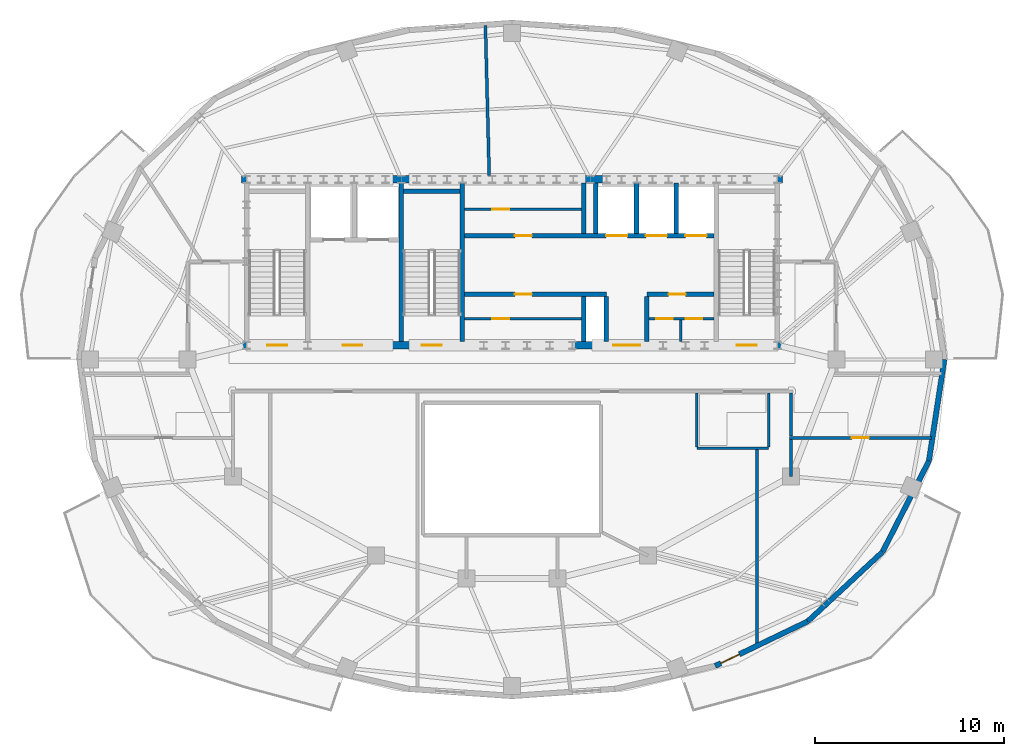
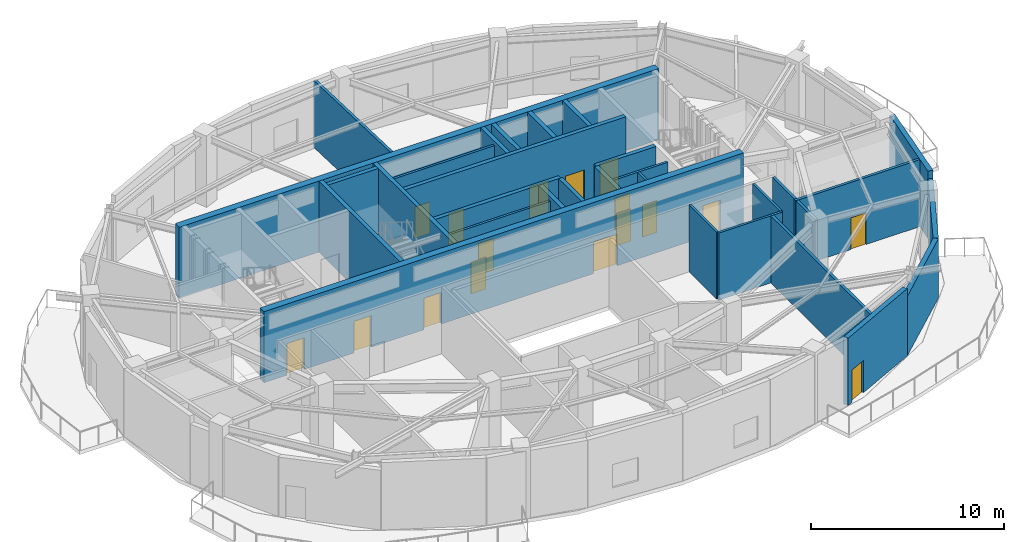
# One storey, part 4 of 9: 31 walls, 17 doors, 17 openings.
"""IFC4 building model written with IfcOpenShell, lengths in metres."""

import ifcopenshell
import ifcopenshell.guid

model = None  # the IFC model being written
_history = None  # IfcOwnerHistory: only IFC2X3 demands one
_inside = {}  # id of a spatial element -> (the spatial element, [elements in it])
_under = {}  # id of a project, library or spatial element -> (it, [spatial elements below it])
_declared = {}  # id of a project -> (the project, [libraries it declares])
_typed = {}  # id of a type object -> (the type object, [elements of that type])
_made_of = {}  # id of a material, layer set ... -> (it, [elements and type objects made of it])


def new_model(schema):
    """Start an empty IFC model of exactly this schema.

    Asked for "IFC4X3", IfcOpenShell would pick the latest addendum, in which some entities
    have other attributes; the version numbers below select the first issue.
    IFC2X3 requires an IfcOwnerHistory on every rooted entity: one is made here for all.
    """
    global model, _history
    if schema == "IFC4X3":
        model = ifcopenshell.file(schema_version=(4, 3, 0, 0))
    else:
        model = ifcopenshell.file(schema=schema)
    _inside.clear()
    _under.clear()
    _declared.clear()
    _typed.clear()
    _made_of.clear()
    _history = None
    if model.schema == "IFC2X3":
        org = make("IfcOrganization", Name="unknown")
        user = make(
            "IfcPersonAndOrganization",
            ThePerson=make("IfcPerson", FamilyName="unknown"),
            TheOrganization=org,
        )
        app = make(
            "IfcApplication",
            ApplicationDeveloper=org,
            Version="unknown",
            ApplicationFullName="unknown",
            ApplicationIdentifier="unknown",
        )
        _history = make(
            "IfcOwnerHistory",
            OwningUser=user,
            OwningApplication=app,
            ChangeAction="ADDED",
            CreationDate=0,
        )
    return model


def make(cls, **values):
    """One entity of the class cls with the attributes given. An attribute that is None is left unset."""
    return model.create_entity(
        cls, **{name: value for name, value in values.items() if value is not None}
    )


def rooted(cls, **values):
    """An entity with a GlobalId (a new one), such as an element, a storey or a relation."""
    return make(cls, GlobalId=ifcopenshell.guid.new(), OwnerHistory=_history, **values)


def si_unit(unit_type, name, prefix=None):
    """IfcSIUnit, for example si_unit("LENGTHUNIT", "METRE", prefix="MILLI")."""
    return make("IfcSIUnit", UnitType=unit_type, Prefix=prefix, Name=name)


def assignment(units):
    """IfcUnitAssignment: the units of a project."""
    return None if units is None else make("IfcUnitAssignment", Units=units)


def point(xyz):
    """IfcCartesianPoint."""
    return None if xyz is None else make("IfcCartesianPoint", Coordinates=xyz)


def direction(xyz):
    """IfcDirection."""
    return None if xyz is None else make("IfcDirection", DirectionRatios=xyz)


def frame(location, z_axis=None, x_axis=None):
    """IfcAxis2Placement3D, a coordinate frame: its origin and axes. An axis left out is left unset."""
    return make(
        "IfcAxis2Placement3D",
        Location=point(location),
        Axis=direction(z_axis),
        RefDirection=direction(x_axis),
    )


def frame_2d(location, x_axis=None):
    """IfcAxis2Placement2D, a coordinate frame in the plane: its origin and x axis."""
    return make(
        "IfcAxis2Placement2D", Location=point(location), RefDirection=direction(x_axis)
    )


def origin():
    """The frame at (0, 0, 0) with its axes left unset."""
    return frame((0.0, 0.0, 0.0))


def place(relative_to, where):
    """IfcLocalPlacement: puts the frame where relative to a parent placement (None: the world)."""
    return make(
        "IfcLocalPlacement", PlacementRelTo=relative_to, RelativePlacement=where
    )


def context(
    kind, dimensions, precision=None, world=None, true_north=None, identifier=None
):
    """IfcGeometricRepresentationContext, for example the 3D "Model" context."""
    return make(
        "IfcGeometricRepresentationContext",
        ContextIdentifier=identifier,
        ContextType=kind,
        CoordinateSpaceDimension=dimensions,
        Precision=precision,
        WorldCoordinateSystem=world,
        TrueNorth=true_north,
    )


def subcontext(parent, identifier, kind, view, scale=None):
    """IfcGeometricRepresentationSubContext, for example "Body" below "Model"."""
    return make(
        "IfcGeometricRepresentationSubContext",
        ContextIdentifier=identifier,
        ContextType=kind,
        ParentContext=parent,
        TargetScale=scale,
        TargetView=view,
    )


def project(units=None, contexts=None):
    """IfcProject with its units and contexts."""
    return rooted(
        "IfcProject",
        Name="project",
        RepresentationContexts=contexts,
        UnitsInContext=assignment(units),
    )


def spatial(cls, under=None, at=None, **own):
    """A site, building, storey or space (cls), placed at a placement, below another one or the project."""
    s = rooted(cls, ObjectPlacement=at, **own)
    if under is not None:
        _under.setdefault(under.id(), (under, []))[1].append(s)
    return s


def profile(cls, at=None, kind="AREA", **sizes):
    """A parametric profile (cls). Its sizes go by their IFC names, for example OverallWidth=200.0."""
    return make(cls, ProfileType=kind, Position=at, **sizes)


def rectangle(**sizes):
    """IfcRectangleProfileDef."""
    return profile("IfcRectangleProfileDef", **sizes)


def extrude(swept, where, along, depth):
    """IfcExtrudedAreaSolid: the profile swept, set in the frame where, extruded along a direction by depth."""
    return make(
        "IfcExtrudedAreaSolid",
        SweptArea=swept,
        Position=where,
        ExtrudedDirection=direction(along),
        Depth=depth,
    )


def shape(context_of_items, identifier, shape_type, items):
    """IfcShapeRepresentation: the items that make up one representation, for example the "Body"."""
    return make(
        "IfcShapeRepresentation",
        ContextOfItems=context_of_items,
        RepresentationIdentifier=identifier,
        RepresentationType=shape_type,
        Items=items,
    )


def material(Name=None, Category=None):
    """IfcMaterial."""
    return make("IfcMaterial", Name=Name, Category=Category)


def layer(
    of_material, thickness, ventilated=None, Name=None, Category=None, Priority=None
):
    """IfcMaterialLayer: one layer of a wall or slab, of a material (None: an air gap)."""
    return make(
        "IfcMaterialLayer",
        Material=of_material,
        LayerThickness=thickness,
        IsVentilated=ventilated,
        Name=Name,
        Category=Category,
        Priority=Priority,
    )


def layer_set(layers, Name=None):
    """IfcMaterialLayerSet."""
    return make("IfcMaterialLayerSet", MaterialLayers=layers, LayerSetName=Name)


def made_of(thing, what):
    """Note that an element or type object is made of a material, layer set ...; save() writes the relation."""
    if what is not None:
        _made_of.setdefault(what.id(), (what, []))[1].append(thing)
    return thing


def type_object(cls, material=None, **own):
    """A type object (cls), such as IfcWallType, which elements share."""
    return made_of(rooted(cls, **own), material)


def element(
    cls,
    number,
    at=None,
    inside=None,
    cuts=None,
    type_object=None,
    material=None,
    context=None,
    identifier="Body",
    shape_type=None,
    held_by="IfcProductDefinitionShape",
    body=None,
    shapes=None,
    **own,
):
    """One element of the class cls, such as IfcWall. Its Tag is "e" and its number.

    at: its placement. inside: the storey or other place that contains it. cuts: it is an
    opening in that element (IfcRelVoidsElement). A single representation is given by context,
    identifier, shape_type and body (its items); several are given by shapes. held_by: the class
    of the entity that holds the representations. save() writes the other relations.
    """
    e = rooted(cls, Tag="e%d" % number, ObjectPlacement=at, **own)
    if body is not None:
        shapes = [shape(context, identifier, shape_type, body)]
    if shapes is not None:
        e.Representation = make(held_by, Representations=shapes)
    if inside is not None:
        _inside.setdefault(inside.id(), (inside, []))[1].append(e)
    if cuts is not None:
        rooted(
            "IfcRelVoidsElement", RelatingBuildingElement=cuts, RelatedOpeningElement=e
        )
    if type_object is not None:
        _typed.setdefault(type_object.id(), (type_object, []))[1].append(e)
    return made_of(e, material)


def fill(opening, filler):
    """IfcRelFillsElement: the door or window that sits in an opening."""
    return rooted(
        "IfcRelFillsElement",
        RelatingOpeningElement=opening,
        RelatedBuildingElement=filler,
    )


def aggregate(whole, parts):
    """IfcRelAggregates: a whole, such as a stair, and the parts it consists of."""
    return rooted("IfcRelAggregates", RelatingObject=whole, RelatedObjects=parts)


def save(model, path):
    """Write the relations noted so far, then the file.

    IfcRelAggregates (storeys below a building ...), IfcRelContainedInSpatialStructure (elements
    in a storey), IfcRelDefinesByType, IfcRelAssociatesMaterial and IfcRelDeclares: one each for
    every whole, place, type object, material and project.
    """
    for whole, parts in _under.values():
        aggregate(whole, parts)
    for where, things in _inside.values():
        rooted(
            "IfcRelContainedInSpatialStructure",
            RelatedElements=things,
            RelatingStructure=where,
        )
    for kind, things in _typed.values():
        rooted("IfcRelDefinesByType", RelatedObjects=things, RelatingType=kind)
    for what, things in _made_of.values():
        rooted("IfcRelAssociatesMaterial", RelatedObjects=things, RelatingMaterial=what)
    for by, libraries in _declared.values():
        rooted("IfcRelDeclares", RelatingContext=by, RelatedDefinitions=libraries)
    model.write(path)


model = new_model("IFC4")

# Units and contexts
model_context = context("Model", 3, precision=1e-05, world=origin(), true_north=direction((0.0, 1.0)))
body_context = subcontext(model_context, "Body", "Model", "MODEL_VIEW")
ifc_project = project(units=[si_unit("LENGTHUNIT", "METRE"), si_unit("AREAUNIT", "SQUARE_METRE"), si_unit("VOLUMEUNIT", "CUBIC_METRE"), si_unit("PLANEANGLEUNIT", "RADIAN"), si_unit("MASSUNIT", "GRAM", prefix="KILO")], contexts=[model_context])

# Site, building, storey
site_placement = place(None, origin())
site = spatial("IfcSite", under=ifc_project, at=site_placement, CompositionType="ELEMENT")
building_placement = place(site_placement, origin())
building = spatial("IfcBuilding", under=site, at=building_placement, Name="Haldorwick Loom Tower", CompositionType="ELEMENT")
storey_placement = place(building_placement, frame((0.0, 0.0, 277.5)))
storey = spatial("IfcBuildingStorey", under=building, at=storey_placement, Name="L75", CompositionType="ELEMENT", Elevation=277.5)

# Wall, opening, door
ifc_material_1 = material(Name="Pressed Clay Face Brick and Insulated Masonry Backup Assembly", Category="masonry")
ifc_layer_1 = layer(ifc_material_1, 0.280029296875, Name="Pressed Clay Face Brick and Insulated Masonry Backup Assembly", Category="masonry")
ifc_layer_set_1 = layer_set([ifc_layer_1], Name="Pressed Clay Face Brick and Insulated Masonry Backup Assembly")
wall_type_1 = type_object("IfcWallType", Name="ARC-WL-EXT280", PredefinedType="STANDARD", material=ifc_layer_set_1)
wall_1_placement = place(storey_placement, frame((46.768798828125, 9.755859375, 0.0), z_axis=(0.0, 0.0, 1.0), x_axis=(0.901083511605, 0.433645598518, 0.0)))
wall_1 = element("IfcWall", 1, at=wall_1_placement, inside=storey, type_object=wall_type_1, Name="L75 Brick Pier and Spandrel Wall 21", PredefinedType="STANDARD", context=body_context, shape_type="SweptSolid", body=[
    extrude(rectangle(XDim=5.440185546875, YDim=0.280029296875, at=frame_2d((2.72021484375, 0.0))), origin(), (0.0, 0.0, 1.0), 4.260009765625),
])
opening_1_placement = place(wall_1_placement, frame((0.340087890625, 0.0, 0.0)))
opening_1 = element("IfcOpeningElement", 2, at=opening_1_placement, cuts=wall_1, Name="Opening D-BL11", PredefinedType="OPENING", context=body_context, shape_type="SweptSolid", body=[
    extrude(rectangle(XDim=1.080078125, YDim=2.0400390625, at=frame_2d((0.5400390625, 1.02001953125))), frame((0.0, 0.14990234375, 0.0), z_axis=(0.0, -1.0, 0.0), x_axis=(1.0, 0.0, 0.0)), (0.0, 0.0, 1.0), 0.300048828125),
])
ifc_material_2 = material(Name="Thermally Broken Anodized Aluminium Curtain Wall Framing", Category="aluminium")
door_type_1 = type_object("IfcDoorType", Name="ARC-DR-BAL110", OperationType="NOTDEFINED", PredefinedType="DOOR", material=ifc_material_2)
door_1_placement = place(opening_1_placement, origin())
door_1 = element("IfcDoor", 3, at=door_1_placement, inside=storey, type_object=door_type_1, Name="L75 Outdoor Terrace Door SLB-L75-BAL_SE", OperationType="SINGLE_SWING_RIGHT", OverallHeight=2.0400390625, OverallWidth=1.080078125, PredefinedType="DOOR", context=body_context, shape_type="SweptSolid", body=[
    extrude(rectangle(XDim=1.080078125, YDim=2.0400390625, at=frame_2d((0.5400390625, 1.02001953125))), frame((0.0, 0.02490234375, 0.0), z_axis=(0.0, -1.0, 0.0), x_axis=(1.0, 0.0, 0.0)), (0.0, 0.0, 1.0), 0.050048828125),
])
fill(opening_1, door_1)

# Walls
for number, where, z_axis, x_axis, name in (
    (4, (51.6708984375, 12.114990234375, 0.0), (0.0, 0.0, 1.0), (0.733156506145, 0.680059951399, 0.0), "L75 Brick Pier and Spandrel Wall 22"),
    (5, (55.638671875, 15.79541015625, 0.0), (0.0, 0.0, 1.0), (0.454417014044, 0.890789075678, 0.0), "L75 Brick Pier and Spandrel Wall 23"),
):
    element("IfcWall", number, at=place(storey_placement, frame(where, z_axis=z_axis, x_axis=x_axis)), inside=storey, type_object=wall_type_1, Name=name, PredefinedType="STANDARD", context=body_context, shape_type="SweptSolid", body=[
        extrude(rectangle(XDim=5.411865234375, YDim=0.280029296875, at=frame_2d((2.7060546875, 0.0))), origin(), (0.0, 0.0, 1.0), 3.76904296875),
    ])
wall_2_placement = place(storey_placement, frame((58.097900390625, 20.6162109375, 0.0), z_axis=(0.0, 0.0, 1.0), x_axis=(0.151110573005, 0.988516866182, 0.0)))
element("IfcWall", 6, at=wall_2_placement, inside=storey, type_object=wall_type_1, Name="L75 Brick Pier and Spandrel Wall 24", PredefinedType="STANDARD", context=body_context, shape_type="SweptSolid", body=[
    extrude(rectangle(XDim=5.4462890625, YDim=0.280029296875, at=frame_2d((2.72314453125, 0.0))), origin(), (0.0, 0.0, 1.0), 4.260009765625),
])

# Wall, opening, door
ifc_material_3 = material(Name="Fire-Rated Type X Gypsum Stud Assembly EI 60")
ifc_layer_2 = layer(ifc_material_3, 0.159912109375, Name="Fire-Rated Type X Gypsum Stud Assembly EI 60")
ifc_layer_set_2 = layer_set([ifc_layer_2], Name="Fire-Rated Type X Gypsum Stud Assembly EI 60")
wall_type_2 = type_object("IfcWallType", Name="ARC-WL-FIRE160", PredefinedType="PARTITIONING", material=ifc_layer_set_2)
wall_3_placement = place(storey_placement, frame((50.699951171875, 21.85009765625, 0.0), z_axis=(0.0, 0.0, 1.0), x_axis=(1.0, 0.0, 0.0)))
wall_3 = element("IfcWall", 7, at=wall_3_placement, inside=storey, type_object=wall_type_2, Name="L75 Residential Fire Partition L75-CR-SPE", PredefinedType="PARTITIONING", context=body_context, shape_type="SweptSolid", body=[
    extrude(rectangle(XDim=7.541015625, YDim=0.159912109375, at=frame_2d((3.7705078125, 0.0))), origin(), (0.0, 0.0, 1.0), 4.2451171875),
])
opening_2_placement = place(wall_3_placement, frame((3.3203125, 0.0, 0.0)))
opening_2 = element("IfcOpeningElement", 8, at=opening_2_placement, cuts=wall_3, Name="Opening D-FD60A", PredefinedType="OPENING", context=body_context, shape_type="SweptSolid", body=[
    extrude(rectangle(XDim=0.89990234375, YDim=2.0, at=frame_2d((0.449951171875, 1.0))), frame((0.0, 0.08984375, 0.0), z_axis=(0.0, -1.0, 0.0), x_axis=(1.0, 0.0, 0.0)), (0.0, 0.0, 1.0), 0.179931640625),
])
ifc_material_4 = material(Name="Hollow Steel Fire Door Assembly", Category="steel")
door_type_2 = type_object("IfcDoorType", Name="ARC-DR-FD60-90", OperationType="NOTDEFINED", PredefinedType="DOOR", material=ifc_material_4)
door_2_placement = place(opening_2_placement, origin())
door_2 = element("IfcDoor", 9, at=door_2_placement, inside=storey, type_object=door_type_2, Name="L75 L75 Central Residential Corridor to Resident Study Room 1 Door", OperationType="SINGLE_SWING_RIGHT", OverallHeight=2.0, OverallWidth=0.89990234375, PredefinedType="DOOR", context=body_context, shape_type="SweptSolid", body=[
    extrude(rectangle(XDim=0.89990234375, YDim=2.0, at=frame_2d((0.449951171875, 1.0))), frame((0.0, 0.02490234375, 0.0), z_axis=(0.0, -1.0, 0.0), x_axis=(1.0, 0.0, 0.0)), (0.0, 0.0, 1.0), 0.050048828125),
])
fill(opening_2, door_2)

# Walls
wall_4_placement = place(storey_placement, frame((50.800048828125, 21.93310546875, 0.0), z_axis=(0.0, 0.0, 1.0), x_axis=(0.0, 1.0, 0.0)))
element("IfcWall", 10, at=wall_4_placement, inside=storey, type_object=wall_type_2, Name="L75 Residential Fire Partition L75-CR-STE", PredefinedType="PARTITIONING", context=body_context, shape_type="SweptSolid", body=[
    extrude(rectangle(XDim=2.283935546875, YDim=0.159912109375, at=frame_2d((1.14208984375, 0.0))), origin(), (0.0, 0.0, 1.0), 4.2451171875),
])
wall_5_placement = place(storey_placement, frame((50.800048828125, 21.76708984375, 0.0), z_axis=(0.0, 0.0, 1.0), x_axis=(0.0, -1.0, 0.0)))
element("IfcWall", 11, at=wall_5_placement, inside=storey, type_object=wall_type_2, Name="L75 Residential Fire Partition L75-ICA-01", PredefinedType="PARTITIONING", context=body_context, shape_type="SweptSolid", body=[
    extrude(rectangle(XDim=1.967041015625, YDim=0.159912109375, at=frame_2d((0.9833984375, 0.0))), origin(), (0.0, 0.0, 1.0), 4.2451171875),
])
wall_6_placement = place(storey_placement, frame((34.792236328125, 35.7529296875, 0.0), z_axis=(0.0, 0.0, 1.0), x_axis=(-0.025356947894, 0.999678460903, 0.0)))
element("IfcWall", 12, at=wall_6_placement, inside=storey, type_object=wall_type_2, Name="L75 Residential Fire Partition L75-UPN-C3", PredefinedType="PARTITIONING", context=body_context, shape_type="SweptSolid", body=[
    extrude(rectangle(XDim=7.943115234375, YDim=0.159912109375, at=frame_2d((3.9716796875, 0.0))), origin(), (0.0, 0.0, 1.0), 4.2451171875),
])
wall_7_placement = place(storey_placement, frame((48.984375, 10.8720703125, 0.0), z_axis=(0.0, 0.0, 1.0), x_axis=(0.0, 1.0, 0.0)))
element("IfcWall", 13, at=wall_7_placement, inside=storey, type_object=wall_type_2, Name="L75 Suite Split Wall", PredefinedType="PARTITIONING", context=body_context, shape_type="SweptSolid", body=[
    extrude(rectangle(XDim=10.35498046875, YDim=0.159912109375, at=frame_2d((5.177490234375, 0.0))), origin(), (0.0, 0.0, 1.0), 4.2451171875),
])

# Wall, opening, door
ifc_layer_3 = layer(ifc_material_3, 0.139892578125, Name="Fire-Rated Type X Gypsum Stud Assembly EI 60")
ifc_layer_set_3 = layer_set([ifc_layer_3], Name="Fire-Rated Type X Gypsum Stud Assembly EI 60")
wall_type_3 = type_object("IfcWallType", Name="ARC-WL-PART140", PredefinedType="PARTITIONING", material=ifc_layer_set_3)
wall_8_placement = place(storey_placement, frame((33.492919921875, 33.9599609375, 0.0), z_axis=(0.0, 0.0, 1.0), x_axis=(1.0, 0.0, 0.0)))
wall_8 = element("IfcWall", 14, at=wall_8_placement, inside=storey, type_object=wall_type_3, Name="L75 Alcove Partition", PredefinedType="PARTITIONING", context=body_context, shape_type="SweptSolid", body=[
    extrude(rectangle(XDim=6.18408203125, YDim=0.139892578125, at=frame_2d((3.092041015625, 0.0))), origin(), (0.0, 0.0, 1.0), 4.2451171875),
])
opening_3_placement = place(wall_8_placement, frame((1.45703125, 0.0, 0.0)))
opening_3 = element("IfcOpeningElement", 15, at=opening_3_placement, cuts=wall_8, Name="Opening D-FD60A", PredefinedType="OPENING", context=body_context, shape_type="SweptSolid", body=[
    extrude(rectangle(XDim=0.89990234375, YDim=2.0, at=frame_2d((0.449951171875, 1.0))), frame((0.0, 0.079833984375, 0.0), z_axis=(0.0, -1.0, 0.0), x_axis=(1.0, 0.0, 0.0)), (0.0, 0.0, 1.0), 0.159912109375),
])
door_3_placement = place(opening_3_placement, frame((0.89990234375, 0.0, 0.0), z_axis=(0.0, 0.0, 1.0), x_axis=(-1.0, 0.0, 0.0)))
door_3 = element("IfcDoor", 16, at=door_3_placement, inside=storey, type_object=door_type_2, Name="L75 Trunk Store Door", OperationType="SINGLE_SWING_LEFT", OverallHeight=2.0, OverallWidth=0.89990234375, PredefinedType="DOOR", context=body_context, shape_type="SweptSolid", body=[
    extrude(rectangle(XDim=0.89990234375, YDim=2.0, at=frame_2d((0.449951171875, 1.0))), frame((0.0, 0.02490234375, 0.0), z_axis=(0.0, -1.0, 0.0), x_axis=(1.0, 0.0, 0.0)), (0.0, 0.0, 1.0), 0.050048828125),
])
fill(opening_3, door_3)

wall_9_placement = place(storey_placement, frame((33.492919921875, 28.159912109375, 0.0), z_axis=(0.0, 0.0, 1.0), x_axis=(1.0, 0.0, 0.0)))
wall_9 = element("IfcWall", 17, at=wall_9_placement, inside=storey, type_object=wall_type_3, Name="L75 Mid-Bank Horizontal Partition", PredefinedType="PARTITIONING", context=body_context, shape_type="SweptSolid", body=[
    extrude(rectangle(XDim=6.18408203125, YDim=0.139892578125, at=frame_2d((3.092041015625, 0.0))), origin(), (0.0, 0.0, 1.0), 4.2451171875),
])
opening_4_placement = place(wall_9_placement, frame((1.45703125, 0.0, 0.0)))
opening_4 = element("IfcOpeningElement", 18, at=opening_4_placement, cuts=wall_9, Name="Opening D-FD60A", PredefinedType="OPENING", context=body_context, shape_type="SweptSolid", body=[
    extrude(rectangle(XDim=0.89990234375, YDim=2.0, at=frame_2d((0.449951171875, 1.0))), frame((0.0, 0.079833984375, 0.0), z_axis=(0.0, -1.0, 0.0), x_axis=(1.0, 0.0, 0.0)), (0.0, 0.0, 1.0), 0.159912109375),
])
door_4_placement = place(opening_4_placement, origin())
door_4 = element("IfcDoor", 19, at=door_4_placement, inside=storey, type_object=door_type_2, Name="L75 Archive Store Door", OperationType="SINGLE_SWING_RIGHT", OverallHeight=2.0, OverallWidth=0.89990234375, PredefinedType="DOOR", context=body_context, shape_type="SweptSolid", body=[
    extrude(rectangle(XDim=0.89990234375, YDim=2.0, at=frame_2d((0.449951171875, 1.0))), frame((0.0, 0.02490234375, 0.0), z_axis=(0.0, -1.0, 0.0), x_axis=(1.0, 0.0, 0.0)), (0.0, 0.0, 1.0), 0.050048828125),
])
fill(opening_4, door_4)

# Wall, openings, doors
wall_10_placement = place(storey_placement, frame((43.27294921875, 28.159912109375, 0.0), z_axis=(0.0, 0.0, 1.0), x_axis=(1.0, 0.0, 0.0)))
wall_10 = element("IfcWall", 20, at=wall_10_placement, inside=storey, type_object=wall_type_3, Name="L75 Telecom Partition", PredefinedType="PARTITIONING", context=body_context, shape_type="SweptSolid", body=[
    extrude(rectangle(XDim=3.43408203125, YDim=0.139892578125, at=frame_2d((1.717041015625, 0.0))), origin(), (0.0, 0.0, 1.0), 4.2451171875),
])
opening_5_placement = place(wall_10_placement, frame((0.366943359375, 0.0, 0.0)))
opening_5 = element("IfcOpeningElement", 21, at=opening_5_placement, cuts=wall_10, Name="Opening D-BT88", PredefinedType="OPENING", context=body_context, shape_type="SweptSolid", body=[
    extrude(rectangle(XDim=0.8798828125, YDim=2.02001953125, at=frame_2d((0.43994140625, 1.010009765625))), frame((0.0, 0.079833984375, 0.0), z_axis=(0.0, -1.0, 0.0), x_axis=(1.0, 0.0, 0.0)), (0.0, 0.0, 1.0), 0.159912109375),
])
opening_6_placement = place(wall_10_placement, frame((1.93701171875, 0.0, 0.0)))
opening_6 = element("IfcOpeningElement", 22, at=opening_6_placement, cuts=wall_10, Name="Opening D-BT88", PredefinedType="OPENING", context=body_context, shape_type="SweptSolid", body=[
    extrude(rectangle(XDim=0.8798828125, YDim=2.02001953125, at=frame_2d((0.43994140625, 1.010009765625))), frame((0.0, 0.079833984375, 0.0), z_axis=(0.0, -1.0, 0.0), x_axis=(1.0, 0.0, 0.0)), (0.0, 0.0, 1.0), 0.159912109375),
])
ifc_material_5 = material(Name="Solid Core Birch Architectural Door")
door_type_3 = type_object("IfcDoorType", Name="ARC-DR-BATH88", OperationType="NOTDEFINED", PredefinedType="DOOR", material=ifc_material_5)
door_5_placement = place(opening_5_placement, origin())
door_5 = element("IfcDoor", 23, at=door_5_placement, inside=storey, type_object=door_type_3, Name="L75 Telecom Room Door", OperationType="SINGLE_SWING_LEFT", OverallHeight=2.02001953125, OverallWidth=0.8798828125, PredefinedType="DOOR", context=body_context, shape_type="SweptSolid", body=[
    extrude(rectangle(XDim=0.8798828125, YDim=2.02001953125, at=frame_2d((0.43994140625, 1.010009765625))), frame((0.0, 0.02490234375, 0.0), z_axis=(0.0, -1.0, 0.0), x_axis=(1.0, 0.0, 0.0)), (0.0, 0.0, 1.0), 0.050048828125),
])
fill(opening_5, door_5)
door_6_placement = place(opening_6_placement, origin())
door_6 = element("IfcDoor", 24, at=door_6_placement, inside=storey, type_object=door_type_3, Name="L75 Metering Closet Door", OperationType="SINGLE_SWING_RIGHT", OverallHeight=2.02001953125, OverallWidth=0.8798828125, PredefinedType="DOOR", context=body_context, shape_type="SweptSolid", body=[
    extrude(rectangle(XDim=0.8798828125, YDim=2.02001953125, at=frame_2d((0.43994140625, 1.010009765625))), frame((0.0, 0.02490234375, 0.0), z_axis=(0.0, -1.0, 0.0), x_axis=(1.0, 0.0, 0.0)), (0.0, 0.0, 1.0), 0.050048828125),
])
fill(opening_6, door_6)

# Walls
wall_11_placement = place(storey_placement, frame((44.949951171875, 26.952880859375, 0.0), z_axis=(0.0, 0.0, 1.0), x_axis=(0.0, 1.0, 0.0)))
element("IfcWall", 25, at=wall_11_placement, inside=storey, type_object=wall_type_3, Name="L75 Metering Sub-Partition", PredefinedType="PARTITIONING", context=body_context, shape_type="SweptSolid", body=[
    extrude(rectangle(XDim=1.134033203125, YDim=0.139892578125, at=frame_2d((0.56689453125, 0.0))), origin(), (0.0, 0.0, 1.0), 4.2451171875),
])
wall_12_placement = place(storey_placement, frame((45.800048828125, 21.300048828125, 0.0), z_axis=(0.0, 0.0, 1.0), x_axis=(1.0, 0.0, 0.0)))
element("IfcWall", 26, at=wall_12_placement, inside=storey, type_object=wall_type_3, Name="L75 Residential Fire Partition L75-CWC-S", PredefinedType="PARTITIONING", context=body_context, shape_type="SweptSolid", body=[
    extrude(rectangle(XDim=3.800048828125, YDim=0.139892578125, at=frame_2d((1.89990234375, 0.0))), origin(), (0.0, 0.0, 1.0), 4.2451171875),
])
for number, where, z_axis, x_axis, name in (
    (27, (45.800048828125, 21.373046875, 0.0), (0.0, 0.0, 1.0), (0.0, 1.0, 0.0), "L75 Residential Fire Partition L75-CWC-W"),
    (28, (49.60009765625, 21.373046875, 0.0), (0.0, 0.0, 1.0), (0.0, 1.0, 0.0), "L75 Residential Fire Partition L75-CWC-E"),
):
    element("IfcWall", number, at=place(storey_placement, frame(where, z_axis=z_axis, x_axis=x_axis)), inside=storey, type_object=wall_type_3, Name=name, PredefinedType="PARTITIONING", context=body_context, shape_type="SweptSolid", body=[
        extrude(rectangle(XDim=2.843994140625, YDim=0.139892578125, at=frame_2d((1.421875, 0.0))), origin(), (0.0, 0.0, 1.0), 4.2451171875),
    ])

# Wall, openings, doors
ifc_material_6 = material(Name="Concrete C50 (50 MPa)", Category="concrete")
ifc_layer_4 = layer(ifc_material_6, 0.39990234375, Name="Concrete C50 (50 MPa)", Category="concrete")
ifc_layer_set_4 = layer_set([ifc_layer_4], Name="Concrete C50 (50 MPa)")
wall_type_4 = type_object("IfcWallType", Name="STR-WL-CORE400", PredefinedType="SHEAR", material=ifc_layer_set_4)
wall_13_placement = place(storey_placement, frame((21.64990234375, 26.75, 0.0), z_axis=(0.0, 0.0, 1.0), x_axis=(1.0, 0.0, 0.0)))
wall_13 = element("IfcWall", 29, at=wall_13_placement, inside=storey, type_object=wall_type_4, Name="L75 Core Shear Wall S", PredefinedType="SHEAR", context=body_context, shape_type="SweptSolid", body=[
    extrude(rectangle(XDim=28.7001953125, YDim=0.39990234375, at=frame_2d((14.35009765625, 0.0))), origin(), (0.0, 0.0, 1.0), 4.5),
])
opening_7_placement = place(wall_13_placement, frame((1.375, 0.0, 0.0)))
opening_7 = element("IfcOpeningElement", 30, at=opening_7_placement, cuts=wall_13, Name="Opening D-FD60", PredefinedType="OPENING", context=body_context, shape_type="SweptSolid", body=[
    extrude(rectangle(XDim=1.050048828125, YDim=2.0, at=frame_2d((0.52490234375, 1.0))), frame((0.0, 0.2099609375, 0.0), z_axis=(0.0, -1.0, 0.0), x_axis=(1.0, 0.0, 0.0)), (0.0, 0.0, 1.0), 0.419921875),
])
opening_8_placement = place(wall_13_placement, frame((5.375, 0.0, 0.0)))
opening_8 = element("IfcOpeningElement", 31, at=opening_8_placement, cuts=wall_13, Name="Opening D-FD60", PredefinedType="OPENING", context=body_context, shape_type="SweptSolid", body=[
    extrude(rectangle(XDim=1.050048828125, YDim=2.0, at=frame_2d((0.52490234375, 1.0))), frame((0.0, 0.2099609375, 0.0), z_axis=(0.0, -1.0, 0.0), x_axis=(1.0, 0.0, 0.0)), (0.0, 0.0, 1.0), 0.419921875),
])
opening_9_placement = place(wall_13_placement, frame((9.574951171875, 0.0, 0.0)))
opening_9 = element("IfcOpeningElement", 32, at=opening_9_placement, cuts=wall_13, Name="Opening D-FD60", PredefinedType="OPENING", context=body_context, shape_type="SweptSolid", body=[
    extrude(rectangle(XDim=1.050048828125, YDim=2.0, at=frame_2d((0.52490234375, 1.0))), frame((0.0, 0.2099609375, 0.0), z_axis=(0.0, -1.0, 0.0), x_axis=(1.0, 0.0, 0.0)), (0.0, 0.0, 1.0), 0.419921875),
])
opening_10_placement = place(wall_13_placement, frame((19.705078125, 0.0, 0.0)))
opening_10 = element("IfcOpeningElement", 33, at=opening_10_placement, cuts=wall_13, Name="Opening D-LB15", PredefinedType="OPENING", context=body_context, shape_type="SweptSolid", body=[
    extrude(rectangle(XDim=1.449951171875, YDim=2.0, at=frame_2d((0.72509765625, 1.0))), frame((0.0, 0.2099609375, 0.0), z_axis=(0.0, -1.0, 0.0), x_axis=(1.0, 0.0, 0.0)), (0.0, 0.0, 1.0), 0.419921875),
])
opening_11_placement = place(wall_13_placement, frame((26.27490234375, 0.0, 0.0)))
opening_11 = element("IfcOpeningElement", 34, at=opening_11_placement, cuts=wall_13, Name="Opening D-FD60", PredefinedType="OPENING", context=body_context, shape_type="SweptSolid", body=[
    extrude(rectangle(XDim=1.050048828125, YDim=2.0, at=frame_2d((0.52490234375, 1.0))), frame((0.0, 0.2099609375, 0.0), z_axis=(0.0, -1.0, 0.0), x_axis=(1.0, 0.0, 0.0)), (0.0, 0.0, 1.0), 0.419921875),
])
door_type_4 = type_object("IfcDoorType", Name="ARC-DR-FD60", OperationType="NOTDEFINED", PredefinedType="DOOR", material=ifc_material_4)
door_7_placement = place(opening_7_placement, origin())
door_7 = element("IfcDoor", 35, at=door_7_placement, inside=storey, type_object=door_type_4, Name="L75 Exit Stair ST-01 Fire Door", OperationType="SINGLE_SWING_LEFT", OverallHeight=2.0, OverallWidth=1.050048828125, PredefinedType="DOOR", context=body_context, shape_type="SweptSolid", body=[
    extrude(rectangle(XDim=1.050048828125, YDim=2.0, at=frame_2d((0.52490234375, 1.0))), frame((0.0, 0.02490234375, 0.0), z_axis=(0.0, -1.0, 0.0), x_axis=(1.0, 0.0, 0.0)), (0.0, 0.0, 1.0), 0.050048828125),
])
fill(opening_7, door_7)
door_8_placement = place(opening_8_placement, origin())
door_8 = element("IfcDoor", 36, at=door_8_placement, inside=storey, type_object=door_type_4, Name="L75 Firefighting Lift Lobby Fire Door", OperationType="SINGLE_SWING_RIGHT", OverallHeight=2.0, OverallWidth=1.050048828125, PredefinedType="DOOR", context=body_context, shape_type="SweptSolid", body=[
    extrude(rectangle(XDim=1.050048828125, YDim=2.0, at=frame_2d((0.52490234375, 1.0))), frame((0.0, 0.02490234375, 0.0), z_axis=(0.0, -1.0, 0.0), x_axis=(1.0, 0.0, 0.0)), (0.0, 0.0, 1.0), 0.050048828125),
])
fill(opening_8, door_8)
door_9_placement = place(opening_9_placement, origin())
door_9 = element("IfcDoor", 37, at=door_9_placement, inside=storey, type_object=door_type_4, Name="L75 Exit Stair ST-03 Fire Door", OperationType="SINGLE_SWING_LEFT", OverallHeight=2.0, OverallWidth=1.050048828125, PredefinedType="DOOR", context=body_context, shape_type="SweptSolid", body=[
    extrude(rectangle(XDim=1.050048828125, YDim=2.0, at=frame_2d((0.52490234375, 1.0))), frame((0.0, 0.02490234375, 0.0), z_axis=(0.0, -1.0, 0.0), x_axis=(1.0, 0.0, 0.0)), (0.0, 0.0, 1.0), 0.050048828125),
])
fill(opening_9, door_9)
door_10_placement = place(opening_11_placement, origin())
door_10 = element("IfcDoor", 38, at=door_10_placement, inside=storey, type_object=door_type_4, Name="L75 Exit Stair ST-02 Fire Door", OperationType="SINGLE_SWING_LEFT", OverallHeight=2.0, OverallWidth=1.050048828125, PredefinedType="DOOR", context=body_context, shape_type="SweptSolid", body=[
    extrude(rectangle(XDim=1.050048828125, YDim=2.0, at=frame_2d((0.52490234375, 1.0))), frame((0.0, 0.02490234375, 0.0), z_axis=(0.0, -1.0, 0.0), x_axis=(1.0, 0.0, 0.0)), (0.0, 0.0, 1.0), 0.050048828125),
])
fill(opening_11, door_10)
ifc_material_7 = material(Name="Thermally Broken Anodized Aluminium and Tempered Glass", Category="aluminium")
door_type_5 = type_object("IfcDoorType", Name="ARC-DR-LOB150", OperationType="NOTDEFINED", PredefinedType="DOOR", material=ifc_material_7)
door_11_placement = place(opening_10_placement, frame((1.449951171875, 0.0, 0.0), z_axis=(0.0, 0.0, 1.0), x_axis=(-1.0, 0.0, 0.0)))
door_11 = element("IfcDoor", 39, at=door_11_placement, inside=storey, type_object=door_type_5, Name="L75 Passenger Lift Lobby Fire Door", OperationType="DOUBLE_DOOR_SINGLE_SWING", OverallHeight=2.0, OverallWidth=1.449951171875, PredefinedType="DOOR", context=body_context, shape_type="SweptSolid", body=[
    extrude(rectangle(XDim=1.449951171875, YDim=2.0, at=frame_2d((0.72509765625, 1.0))), frame((0.0, 0.02490234375, 0.0), z_axis=(0.0, -1.0, 0.0), x_axis=(1.0, 0.0, 0.0)), (0.0, 0.0, 1.0), 0.050048828125),
])
fill(opening_10, door_11)

# Walls
wall_14_placement = place(storey_placement, frame((50.35009765625, 35.550048828125, 0.0), z_axis=(0.0, 0.0, 1.0), x_axis=(-1.0, 0.0, 0.0)))
element("IfcWall", 40, at=wall_14_placement, inside=storey, type_object=wall_type_4, Name="L75 Core Shear Wall N", PredefinedType="SHEAR", context=body_context, shape_type="SweptSolid", body=[
    extrude(rectangle(XDim=28.7001953125, YDim=0.39990234375, at=frame_2d((14.35009765625, 0.0))), origin(), (0.0, 0.0, 1.0), 4.5),
])
ifc_layer_5 = layer(ifc_material_6, 0.239990234375, Name="Concrete C50 (50 MPa)", Category="concrete")
ifc_layer_set_5 = layer_set([ifc_layer_5], Name="Concrete C50 (50 MPa)")
wall_type_5 = type_object("IfcWallType", Name="STR-WL-SHAFT240", PredefinedType="SHEAR", material=ifc_layer_set_5)
for number, where, z_axis, x_axis, name in (
    (41, (30.1298828125, 26.952880859375, 0.0), (0.0, 0.0, 1.0), (0.0, 1.0, 0.0), "L75 Core Shear Wall 2"),
    (42, (33.3701171875, 26.952880859375, 0.0), (0.0, 0.0, 1.0), (0.0, 1.0, 0.0), "L75 Core Shear Wall 3"),
):
    element("IfcWall", number, at=place(storey_placement, frame(where, z_axis=z_axis, x_axis=x_axis)), inside=storey, type_object=wall_type_5, Name=name, PredefinedType="SHEAR", context=body_context, shape_type="SweptSolid", body=[
        extrude(rectangle(XDim=8.39404296875, YDim=0.239990234375, at=frame_2d((4.197021484375, 0.0))), origin(), (0.0, 0.0, 1.0), 4.5),
    ])
wall_15_placement = place(storey_placement, frame((30.2529296875, 34.919921875, 0.0), z_axis=(0.0, 0.0, 1.0), x_axis=(1.0, 0.0, 0.0)))
element("IfcWall", 43, at=wall_15_placement, inside=storey, type_object=wall_type_5, Name="L75 Core Shear Wall 3N", PredefinedType="SHEAR", context=body_context, shape_type="SweptSolid", body=[
    extrude(rectangle(XDim=2.994140625, YDim=0.239990234375, at=frame_2d((1.4970703125, 0.0))), origin(), (0.0, 0.0, 1.0), 4.5),
])

# Wall, openings, doors
wall_16_placement = place(storey_placement, frame((33.492919921875, 32.550048828125, 0.0), z_axis=(0.0, 0.0, 1.0), x_axis=(1.0, 0.0, 0.0)))
wall_16 = element("IfcWall", 44, at=wall_16_placement, inside=storey, type_object=wall_type_5, Name="L75 Core Shear Wall LN", PredefinedType="SHEAR", context=body_context, shape_type="SweptSolid", body=[
    extrude(rectangle(XDim=13.214111328125, YDim=0.239990234375, at=frame_2d((6.60693359375, 0.0))), origin(), (0.0, 0.0, 1.0), 4.5),
])
opening_12_placement = place(wall_16_placement, frame((2.656982421875, 0.0, 0.0)))
opening_12 = element("IfcOpeningElement", 45, at=opening_12_placement, cuts=wall_16, Name="Opening D-FD60A", PredefinedType="OPENING", context=body_context, shape_type="SweptSolid", body=[
    extrude(rectangle(XDim=0.89990234375, YDim=2.0, at=frame_2d((0.449951171875, 1.0))), frame((0.0, 0.1298828125, 0.0), z_axis=(0.0, -1.0, 0.0), x_axis=(1.0, 0.0, 0.0)), (0.0, 0.0, 1.0), 0.260009765625),
])
opening_13_placement = place(wall_16_placement, frame((7.4970703125, 0.0, 0.0)))
opening_13 = element("IfcOpeningElement", 46, at=opening_13_placement, cuts=wall_16, Name="Opening LD-H1", PredefinedType="OPENING", context=body_context, shape_type="SweptSolid", body=[
    extrude(rectangle(XDim=1.1201171875, YDim=2.0, at=frame_2d((0.56005859375, 1.0))), frame((0.0, 0.1298828125, 0.0), z_axis=(0.0, -1.0, 0.0), x_axis=(1.0, 0.0, 0.0)), (0.0, 0.0, 1.0), 0.260009765625),
])
opening_14_placement = place(wall_16_placement, frame((9.596923828125, 0.0, 0.0)))
opening_14 = element("IfcOpeningElement", 47, at=opening_14_placement, cuts=wall_16, Name="Opening LD-H2", PredefinedType="OPENING", context=body_context, shape_type="SweptSolid", body=[
    extrude(rectangle(XDim=1.1201171875, YDim=2.0, at=frame_2d((0.56005859375, 1.0))), frame((0.0, 0.1298828125, 0.0), z_axis=(0.0, -1.0, 0.0), x_axis=(1.0, 0.0, 0.0)), (0.0, 0.0, 1.0), 0.260009765625),
])
opening_15_placement = place(wall_16_placement, frame((11.697021484375, 0.0, 0.0)))
opening_15 = element("IfcOpeningElement", 48, at=opening_15_placement, cuts=wall_16, Name="Opening LD-H3", PredefinedType="OPENING", context=body_context, shape_type="SweptSolid", body=[
    extrude(rectangle(XDim=1.1201171875, YDim=2.0, at=frame_2d((0.56005859375, 1.0))), frame((0.0, 0.1298828125, 0.0), z_axis=(0.0, -1.0, 0.0), x_axis=(1.0, 0.0, 0.0)), (0.0, 0.0, 1.0), 0.260009765625),
])
door_12_placement = place(opening_12_placement, frame((0.89990234375, 0.0, 0.0), z_axis=(0.0, 0.0, 1.0), x_axis=(-1.0, 0.0, 0.0)))
door_12 = element("IfcDoor", 49, at=door_12_placement, inside=storey, type_object=door_type_2, Name="L75 Floor Equipment Door", OperationType="SINGLE_SWING_RIGHT", OverallHeight=2.0, OverallWidth=0.89990234375, PredefinedType="DOOR", context=body_context, shape_type="SweptSolid", body=[
    extrude(rectangle(XDim=0.89990234375, YDim=2.0, at=frame_2d((0.449951171875, 1.0))), frame((0.0, 0.02490234375, 0.0), z_axis=(0.0, -1.0, 0.0), x_axis=(1.0, 0.0, 0.0)), (0.0, 0.0, 1.0), 0.050048828125),
])
fill(opening_12, door_12)
door_type_6 = type_object("IfcDoorType", Name="ARC-DR-LD-PAX", OperationType="NOTDEFINED", PredefinedType="USERDEFINED", material=ifc_material_4)
door_13_placement = place(opening_13_placement, origin())
door_13 = element("IfcDoor", 50, at=door_13_placement, inside=storey, type_object=door_type_6, Name="L75 Lift LF-H1 Sliding Landing Door", ObjectType="LANDING DOOR", OperationType="DOUBLE_DOOR_SLIDING", OverallHeight=2.0, OverallWidth=1.1201171875, PredefinedType="USERDEFINED", context=body_context, shape_type="SweptSolid", body=[
    extrude(rectangle(XDim=1.1201171875, YDim=2.0, at=frame_2d((0.56005859375, 1.0))), frame((0.0, 0.02490234375, 0.0), z_axis=(0.0, -1.0, 0.0), x_axis=(1.0, 0.0, 0.0)), (0.0, 0.0, 1.0), 0.050048828125),
])
fill(opening_13, door_13)
door_14_placement = place(opening_14_placement, origin())
door_14 = element("IfcDoor", 51, at=door_14_placement, inside=storey, type_object=door_type_6, Name="L75 Lift LF-H2 Sliding Landing Door", ObjectType="LANDING DOOR", OperationType="DOUBLE_DOOR_SLIDING", OverallHeight=2.0, OverallWidth=1.1201171875, PredefinedType="USERDEFINED", context=body_context, shape_type="SweptSolid", body=[
    extrude(rectangle(XDim=1.1201171875, YDim=2.0, at=frame_2d((0.56005859375, 1.0))), frame((0.0, 0.02490234375, 0.0), z_axis=(0.0, -1.0, 0.0), x_axis=(1.0, 0.0, 0.0)), (0.0, 0.0, 1.0), 0.050048828125),
])
fill(opening_14, door_14)
door_15_placement = place(opening_15_placement, origin())
door_15 = element("IfcDoor", 52, at=door_15_placement, inside=storey, type_object=door_type_6, Name="L75 Lift LF-H3 Sliding Landing Door", ObjectType="LANDING DOOR", OperationType="DOUBLE_DOOR_SLIDING", OverallHeight=2.0, OverallWidth=1.1201171875, PredefinedType="USERDEFINED", context=body_context, shape_type="SweptSolid", body=[
    extrude(rectangle(XDim=1.1201171875, YDim=2.0, at=frame_2d((0.56005859375, 1.0))), frame((0.0, 0.02490234375, 0.0), z_axis=(0.0, -1.0, 0.0), x_axis=(1.0, 0.0, 0.0)), (0.0, 0.0, 1.0), 0.050048828125),
])
fill(opening_15, door_15)

# Wall, opening, door
wall_17_placement = place(storey_placement, frame((33.492919921875, 29.449951171875, 0.0), z_axis=(0.0, 0.0, 1.0), x_axis=(1.0, 0.0, 0.0)))
wall_17 = element("IfcWall", 53, at=wall_17_placement, inside=storey, type_object=wall_type_5, Name="L75 Core Shear Wall LS1", PredefinedType="SHEAR", context=body_context, shape_type="SweptSolid", body=[
    extrude(rectangle(XDim=7.507080078125, YDim=0.239990234375, at=frame_2d((3.75341796875, 0.0))), origin(), (0.0, 0.0, 1.0), 4.5),
])
opening_16_placement = place(wall_17_placement, frame((2.656982421875, 0.0, 0.0)))
opening_16 = element("IfcOpeningElement", 54, at=opening_16_placement, cuts=wall_17, Name="Opening D-FD60A", PredefinedType="OPENING", context=body_context, shape_type="SweptSolid", body=[
    extrude(rectangle(XDim=0.89990234375, YDim=2.0, at=frame_2d((0.449951171875, 1.0))), frame((0.0, 0.1298828125, 0.0), z_axis=(0.0, -1.0, 0.0), x_axis=(1.0, 0.0, 0.0)), (0.0, 0.0, 1.0), 0.260009765625),
])
door_16_placement = place(opening_16_placement, origin())
door_16 = element("IfcDoor", 55, at=door_16_placement, inside=storey, type_object=door_type_2, Name="L75 Metering Closet Door", OperationType="SINGLE_SWING_LEFT", OverallHeight=2.0, OverallWidth=0.89990234375, PredefinedType="DOOR", context=body_context, shape_type="SweptSolid", body=[
    extrude(rectangle(XDim=0.89990234375, YDim=2.0, at=frame_2d((0.449951171875, 1.0))), frame((0.0, 0.02490234375, 0.0), z_axis=(0.0, -1.0, 0.0), x_axis=(1.0, 0.0, 0.0)), (0.0, 0.0, 1.0), 0.050048828125),
])
fill(opening_16, door_16)

wall_18_placement = place(storey_placement, frame((43.14990234375, 29.449951171875, 0.0), z_axis=(0.0, 0.0, 1.0), x_axis=(1.0, 0.0, 0.0)))
wall_18 = element("IfcWall", 56, at=wall_18_placement, inside=storey, type_object=wall_type_5, Name="L75 Core Shear Wall LS2", PredefinedType="SHEAR", context=body_context, shape_type="SweptSolid", body=[
    extrude(rectangle(XDim=3.55712890625, YDim=0.239990234375, at=frame_2d((1.778564453125, 0.0))), origin(), (0.0, 0.0, 1.0), 4.5),
])
opening_17_placement = place(wall_18_placement, frame((1.14990234375, 0.0, 0.0)))
opening_17 = element("IfcOpeningElement", 57, at=opening_17_placement, cuts=wall_18, Name="Opening D-FD60A", PredefinedType="OPENING", context=body_context, shape_type="SweptSolid", body=[
    extrude(rectangle(XDim=0.89990234375, YDim=2.0, at=frame_2d((0.449951171875, 1.0))), frame((0.0, 0.1298828125, 0.0), z_axis=(0.0, -1.0, 0.0), x_axis=(1.0, 0.0, 0.0)), (0.0, 0.0, 1.0), 0.260009765625),
])
door_17_placement = place(opening_17_placement, origin())
door_17 = element("IfcDoor", 58, at=door_17_placement, inside=storey, type_object=door_type_2, Name="L75 Janitor Closet Door", OperationType="SINGLE_SWING_LEFT", OverallHeight=2.0, OverallWidth=0.89990234375, PredefinedType="DOOR", context=body_context, shape_type="SweptSolid", body=[
    extrude(rectangle(XDim=0.89990234375, YDim=2.0, at=frame_2d((0.449951171875, 1.0))), frame((0.0, 0.02490234375, 0.0), z_axis=(0.0, -1.0, 0.0), x_axis=(1.0, 0.0, 0.0)), (0.0, 0.0, 1.0), 0.050048828125),
])
fill(opening_17, door_17)

# Walls
for number, where, z_axis, x_axis, name in (
    (59, (41.0, 26.952880859375, 0.0), (0.0, 0.0, 1.0), (0.0, 1.0, 0.0), "L75 Core Shear Wall THW"),
    (60, (43.14990234375, 26.952880859375, 0.0), (0.0, 0.0, 1.0), (0.0, 1.0, 0.0), "L75 Core Shear Wall THE"),
):
    element("IfcWall", number, at=place(storey_placement, frame(where, z_axis=z_axis, x_axis=x_axis)), inside=storey, type_object=wall_type_5, Name=name, PredefinedType="SHEAR", context=body_context, shape_type="SweptSolid", body=[
        extrude(rectangle(XDim=2.3740234375, YDim=0.239990234375, at=frame_2d((1.18701171875, 0.0))), origin(), (0.0, 0.0, 1.0), 4.5),
    ])
for number, where, z_axis, x_axis, name in (
    (61, (39.800048828125, 32.673095703125, 0.0), (0.0, 0.0, 1.0), (0.0, 1.0, 0.0), "L75 Core Shear Wall LHW"),
    (62, (40.449951171875, 32.673095703125, 0.0), (0.0, 0.0, 1.0), (0.0, 1.0, 0.0), "L75 Core Shear Wall H0"),
    (63, (42.60009765625, 32.673095703125, 0.0), (0.0, 0.0, 1.0), (0.0, 1.0, 0.0), "L75 Core Shear Wall H1"),
    (64, (44.699951171875, 32.673095703125, 0.0), (0.0, 0.0, 1.0), (0.0, 1.0, 0.0), "L75 Core Shear Wall H2"),
):
    element("IfcWall", number, at=place(storey_placement, frame(where, z_axis=z_axis, x_axis=x_axis)), inside=storey, type_object=wall_type_5, Name=name, PredefinedType="SHEAR", context=body_context, shape_type="SweptSolid", body=[
        extrude(rectangle(XDim=2.673828125, YDim=0.239990234375, at=frame_2d((1.3369140625, 0.0))), origin(), (0.0, 0.0, 1.0), 4.5),
    ])
wall_19_placement = place(storey_placement, frame((39.800048828125, 26.952880859375, 0.0), z_axis=(0.0, 0.0, 1.0), x_axis=(0.0, 1.0, 0.0)))
element("IfcWall", 65, at=wall_19_placement, inside=storey, type_object=wall_type_5, Name="L75 Core Shear Wall MRW", PredefinedType="SHEAR", context=body_context, shape_type="SweptSolid", body=[
    extrude(rectangle(XDim=2.3740234375, YDim=0.239990234375, at=frame_2d((1.18701171875, 0.0))), origin(), (0.0, 0.0, 1.0), 4.5),
])

save(model, "model.ifc")
